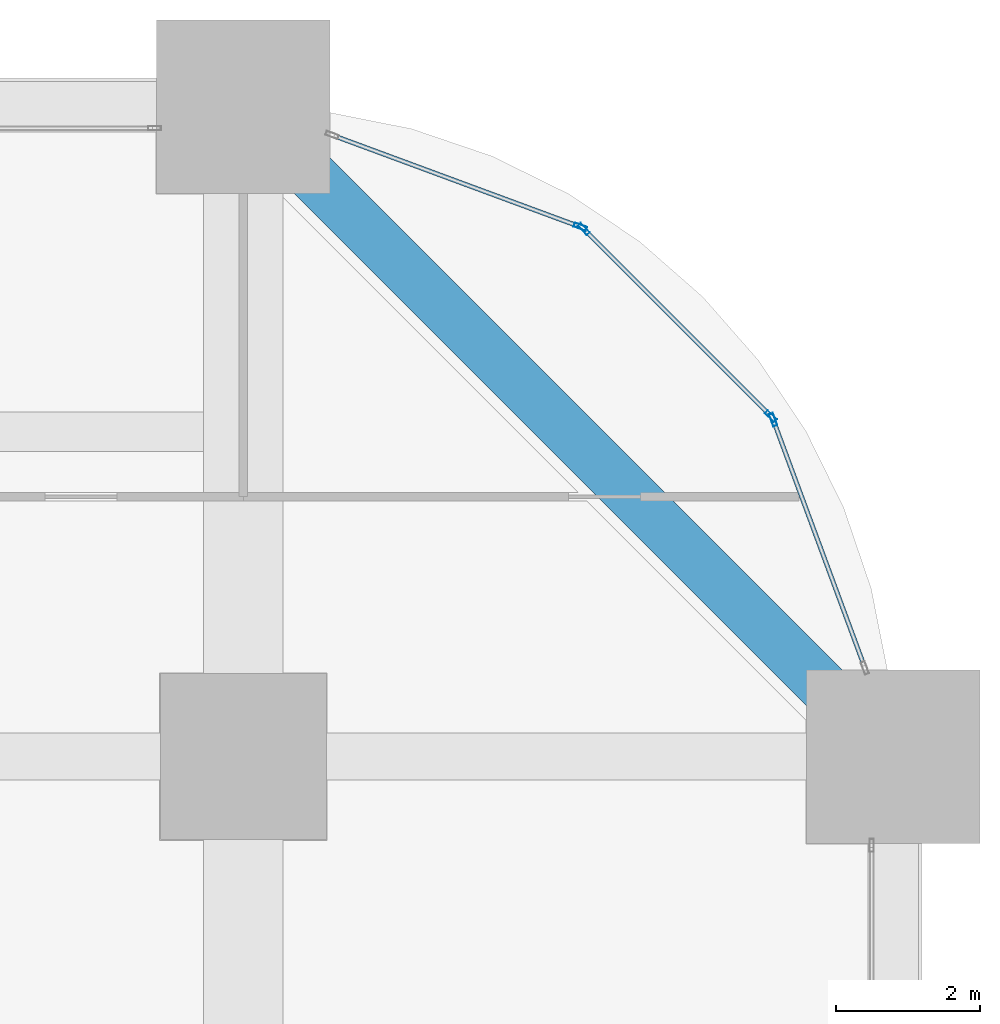
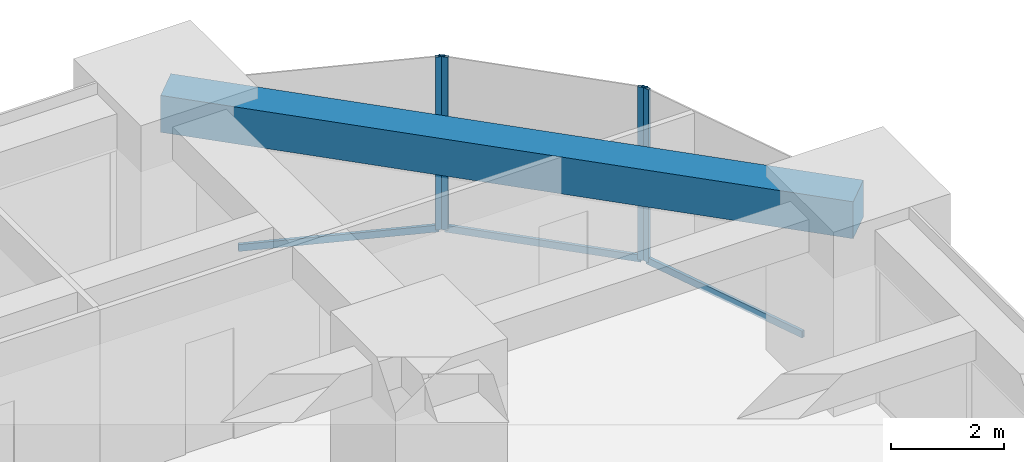
# One storey, part 37 of 45: 7 members, 1 beam, 3 elements without a shape of their own.
"""IFC4 building model written with IfcOpenShell, lengths in metres."""

from ifc_helpers import new_model, si_unit, direction, frame, origin, origin_2d, place, context, subcontext, project, spatial, rectangle, hollow_rectangle, extrude, material, material_profile, profile_set, type_object, element, aggregate, save


model = new_model("IFC4")

# Units and contexts
model_context = context("Model", 3, precision=1e-05, world=origin(), true_north=direction((0.0, 1.0)))
body_context = subcontext(model_context, "Body", "Model", "MODEL_VIEW")
ifc_project = project(units=[si_unit("LENGTHUNIT", "METRE"), si_unit("AREAUNIT", "SQUARE_METRE"), si_unit("VOLUMEUNIT", "CUBIC_METRE"), si_unit("PLANEANGLEUNIT", "RADIAN"), si_unit("MASSUNIT", "GRAM", prefix="KILO")], contexts=[model_context])

# Site, building, storey
site_placement = place(None, origin())
site = spatial("IfcSite", under=ifc_project, at=site_placement, CompositionType="ELEMENT")
building_placement = place(site_placement, origin())
building = spatial("IfcBuilding", under=site, at=building_placement, Name="Zorevar Civic Tower", CompositionType="ELEMENT")
storey_placement = place(building_placement, frame((0.0, 0.0, 39.800048828125)))
storey = spatial("IfcBuildingStorey", under=building, at=storey_placement, Name="L09", CompositionType="ELEMENT", Elevation=39.800048828125)

# Curtain wall, member
ifc_material_1 = material(Name="Dark grey solar-control glass in black aluminium frame", Category="aluminium")
curtain_wall_type = type_object("IfcCurtainWallType", Name="Curtain wall CW2 low zone", PredefinedType="NOTDEFINED", material=ifc_material_1)
curtain_wall_1_placement = place(storey_placement, origin())
curtain_wall_1 = element("IfcCurtainWall", 1, at=curtain_wall_1_placement, inside=storey, type_object=curtain_wall_type, Name="CW2 L09", PredefinedType="NOTDEFINED")
ifc_material_2 = material(Name="Aluminium, black anodised", Category="aluminium")
ifc_material_profile_1 = material_profile(ifc_material_2, hollow_rectangle(XDim=0.06005859375, YDim=0.179931640625, WallThickness=0.00390625, at=origin_2d()), Name="AL 180x60x4")
ifc_profile_set_1 = profile_set([ifc_material_profile_1], Name="Aluminium, black anodised")
member_type_1 = type_object("IfcMemberType", Name="CW2 mullion AL 180x60x4", PredefinedType="MULLION", material=ifc_profile_set_1)
member_1_placement = place(storey_placement, frame((61.336181640625, 49.66455078125, 0.0), z_axis=(0.0, 0.0, 1.0), x_axis=(-0.937974588163, -0.346704012033, 0.0)))
member_1 = element("IfcMember", 2, at=member_1_placement, type_object=member_type_1, Name="CW2 mullion 2", PredefinedType="MULLION", context=body_context, shape_type="SweptSolid", body=[
    extrude(hollow_rectangle(XDim=0.06005859375, YDim=0.179931640625, WallThickness=0.00390625, at=origin_2d()), origin(), (0.0, 0.0, 1.0), 3.75),
])

# Curtain wall, members
curtain_wall_2_placement = place(storey_placement, origin())
curtain_wall_2 = element("IfcCurtainWall", 3, at=curtain_wall_2_placement, inside=storey, type_object=curtain_wall_type, Name="CW2 L09", PredefinedType="NOTDEFINED")
member_2_placement = place(storey_placement, frame((61.3046875, 49.7138671875, 0.0), z_axis=(0.0, 0.0, 1.0), x_axis=(-0.707106781187, -0.707106781187, 0.0)))
member_2 = element("IfcMember", 4, at=member_2_placement, type_object=member_type_1, Name="CW2 mullion 1", PredefinedType="MULLION", context=body_context, shape_type="SweptSolid", body=[
    extrude(hollow_rectangle(XDim=0.06005859375, YDim=0.179931640625, WallThickness=0.00390625, at=origin_2d()), origin(), (0.0, 0.0, 1.0), 3.75),
])
member_3_placement = place(storey_placement, frame((58.7138671875, 52.3046875, 0.0), z_axis=(0.0, 0.0, 1.0), x_axis=(-0.707106781187, -0.707106781187, 0.0)))
member_3 = element("IfcMember", 5, at=member_3_placement, type_object=member_type_1, Name="CW2 mullion 2", PredefinedType="MULLION", context=body_context, shape_type="SweptSolid", body=[
    extrude(hollow_rectangle(XDim=0.06005859375, YDim=0.179931640625, WallThickness=0.00390625, at=origin_2d()), origin(), (0.0, 0.0, 1.0), 3.75),
])

# Curtain wall, member
curtain_wall_3_placement = place(storey_placement, origin())
curtain_wall_3 = element("IfcCurtainWall", 6, at=curtain_wall_3_placement, inside=storey, type_object=curtain_wall_type, Name="CW2 L09", PredefinedType="NOTDEFINED")
member_4_placement = place(storey_placement, frame((58.66455078125, 52.336181640625, 0.0), z_axis=(0.0, 0.0, 1.0), x_axis=(-0.346704012033, -0.937974588163, 0.0)))
member_4 = element("IfcMember", 7, at=member_4_placement, type_object=member_type_1, Name="CW2 mullion 1", PredefinedType="MULLION", context=body_context, shape_type="SweptSolid", body=[
    extrude(hollow_rectangle(XDim=0.06005859375, YDim=0.179931640625, WallThickness=0.00390625, at=origin_2d()), origin(), (0.0, 0.0, 1.0), 3.75),
])

# Member
ifc_material_3 = material(Name="Aluminium, black anodised", Category="aluminium")
ifc_material_profile_2 = material_profile(ifc_material_3, hollow_rectangle(XDim=0.06005859375, YDim=0.14990234375, WallThickness=0.00390625, at=origin_2d()), Name="AL 150x60x4")
ifc_profile_set_2 = profile_set([ifc_material_profile_2], Name="Aluminium, black anodised")
member_type_2 = type_object("IfcMemberType", Name="CW2 transom AL 150x60x4", PredefinedType="USERDEFINED", material=ifc_profile_set_2)
member_5_placement = place(storey_placement, frame((62.595947265625, 46.25634765625, 0.030029296875), z_axis=(-0.346672169799, 0.93798635741, 0.0), x_axis=(-0.93798635741, -0.346672169799, 0.0)))
member_5 = element("IfcMember", 8, at=member_5_placement, type_object=member_type_2, Name="CW2 sill transom", ObjectType="TRANSOM", PredefinedType="USERDEFINED", context=body_context, shape_type="SweptSolid", body=[
    extrude(hollow_rectangle(XDim=0.06005859375, YDim=0.14990234375, WallThickness=0.00390625, at=origin_2d()), origin(), (0.0, 0.0, 1.0), 3.603515625),
])

aggregate(curtain_wall_1, [member_1, member_5])

member_6_placement = place(storey_placement, frame((61.283447265625, 49.735107421875, 0.030029296875), z_axis=(-0.707106781187, 0.707106781187, 0.0), x_axis=(-0.707106781187, -0.707106781187, 0.0)))
member_6 = element("IfcMember", 9, at=member_6_placement, type_object=member_type_2, Name="CW2 sill transom", ObjectType="TRANSOM", PredefinedType="USERDEFINED", context=body_context, shape_type="SweptSolid", body=[
    extrude(hollow_rectangle(XDim=0.06005859375, YDim=0.14990234375, WallThickness=0.00390625, at=origin_2d()), origin(), (0.0, 0.0, 1.0), 3.60400390625),
])

aggregate(curtain_wall_2, [member_2, member_3, member_6])

member_7_placement = place(storey_placement, frame((58.636474609375, 52.3466796875, 0.030029296875), z_axis=(-0.93798635741, 0.346672169799, 0.0), x_axis=(-0.346672169799, -0.93798635741, 0.0)))
member_7 = element("IfcMember", 10, at=member_7_placement, type_object=member_type_2, Name="CW2 sill transom", ObjectType="TRANSOM", PredefinedType="USERDEFINED", context=body_context, shape_type="SweptSolid", body=[
    extrude(hollow_rectangle(XDim=0.06005859375, YDim=0.14990234375, WallThickness=0.00390625, at=origin_2d()), origin(), (0.0, 0.0, 1.0), 3.603515625),
])

aggregate(curtain_wall_3, [member_4, member_7])

# Beam
ifc_material_4 = material(Name="Concrete C50/60", Category="concrete")
ifc_material_profile_3 = material_profile(ifc_material_4, rectangle(XDim=0.699951171875, YDim=0.800048828125, at=origin_2d()), Name="RC 700x800")
ifc_profile_set_3 = profile_set([ifc_material_profile_3], Name="Concrete C50/60")
beam_type = type_object("IfcBeamType", Name="Edge beam RC 700x800", PredefinedType="SPANDREL", material=ifc_profile_set_3)
beam_placement = place(storey_placement, frame((63.0, 45.0, 3.349853515625), z_axis=(-0.707106781187, 0.707106781187, 0.0), x_axis=(-0.707106781187, -0.707106781187, 0.0)))
element("IfcBeam", 11, at=beam_placement, inside=storey, type_object=beam_type, Name="Corner edge beam L10", PredefinedType="SPANDREL", context=body_context, shape_type="SweptSolid", body=[
    extrude(rectangle(XDim=0.699951171875, YDim=0.800048828125, at=origin_2d()), origin(), (0.0, 0.0, 1.0), 12.72802734375),
])

save(model, "model.ifc")
